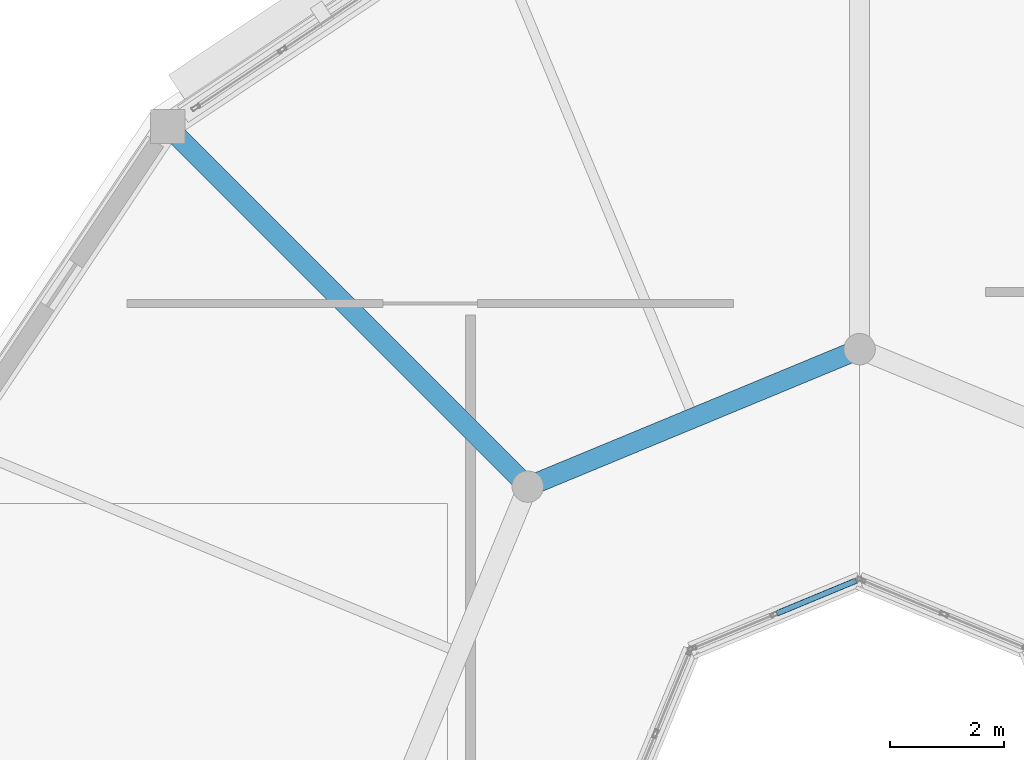
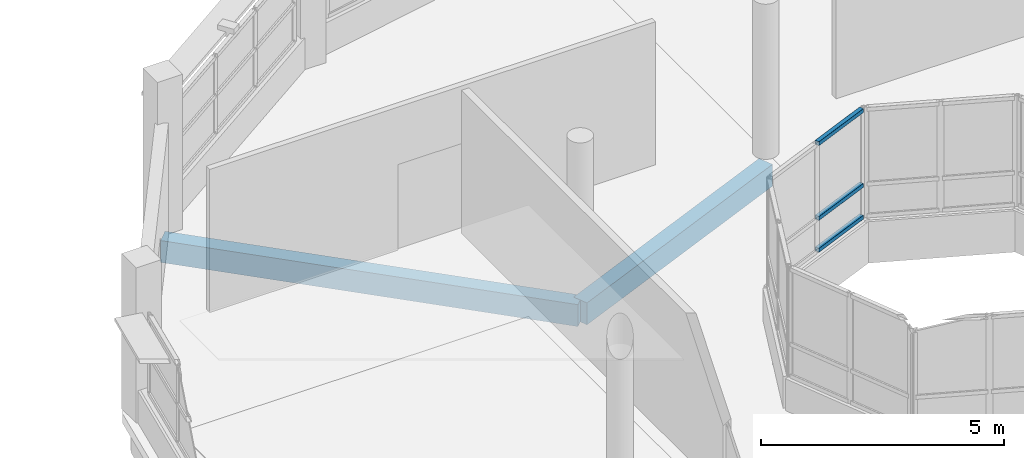
# One storey, part 71 of 121: 3 members, 2 beams, 1 element without a shape of its own.
"""IFC4 building model written with IfcOpenShell, lengths in metres."""

from ifc_helpers import new_model, si_unit, direction, frame, origin, origin_2d, place, context, subcontext, project, spatial, rectangle, hollow_rectangle, extrude, material, layer, layer_set, material_profile, profile_set, type_object, element, aggregate, save


model = new_model("IFC4")

# Units and contexts
model_context = context("Model", 3, precision=1e-05, world=origin(), true_north=direction((0.0, 1.0)))
body_context = subcontext(model_context, "Body", "Model", "MODEL_VIEW")
ifc_project = project(units=[si_unit("LENGTHUNIT", "METRE"), si_unit("AREAUNIT", "SQUARE_METRE"), si_unit("VOLUMEUNIT", "CUBIC_METRE"), si_unit("PLANEANGLEUNIT", "RADIAN"), si_unit("MASSUNIT", "GRAM", prefix="KILO")], contexts=[model_context])

# Site, building, storey
site_placement = place(None, origin())
site = spatial("IfcSite", under=ifc_project, at=site_placement, CompositionType="ELEMENT")
building_placement = place(site_placement, origin())
building = spatial("IfcBuilding", under=site, at=building_placement, Name="Vespera Passage Community Centre", CompositionType="ELEMENT")
storey_placement = place(building_placement, frame((0.0, 0.0, 8.699951171875)))
storey = spatial("IfcBuildingStorey", under=building, at=storey_placement, Name="L02", CompositionType="ELEMENT", Elevation=8.699951171875)

# Beams
ifc_material_1 = material(Name="Concrete f'c 35 MPa", Category="concrete")
ifc_material_profile_1 = material_profile(ifc_material_1, rectangle(XDim=0.35009765625, YDim=0.550048828125, at=origin_2d()), Name="RC350X550")
ifc_profile_set_1 = profile_set([ifc_material_profile_1], Name="Concrete f'c 35 MPa")
beam_type = type_object("IfcBeamType", Name="BM-J-350X550", PredefinedType="JOIST", material=ifc_profile_set_1)
beam_1_placement = place(storey_placement, frame((141.0, 33.199951171875, -0.514892578125), z_axis=(-0.92388740073, -0.382664436252, 0.0), x_axis=(0.382664436252, -0.92388740073, 0.0)))
element("IfcBeam", 1, at=beam_1_placement, inside=storey, type_object=beam_type, Name="V3 L02 Inner Ring Beam 3", PredefinedType="JOIST", context=body_context, shape_type="SweptSolid", body=[
    extrude(rectangle(XDim=0.35009765625, YDim=0.550048828125, at=origin_2d()), origin(), (0.0, 0.0, 1.0), 6.276123046875),
])
beam_2_placement = place(storey_placement, frame((135.20166015625, 30.79833984375, -0.514892578125), z_axis=(-0.707106781187, 0.707106781187, 0.0), x_axis=(-0.707106781187, -0.707106781187, 0.0)))
element("IfcBeam", 2, at=beam_2_placement, inside=storey, type_object=beam_type, Name="V3 L02 Radial Girder 4", PredefinedType="JOIST", context=body_context, shape_type="SweptSolid", body=[
    extrude(rectangle(XDim=0.35009765625, YDim=0.550048828125, at=origin_2d()), origin(), (0.0, 0.0, 1.0), 8.89990234375),
])

# Curtain wall, members
ifc_material_2 = material(Name="Anodized aluminium 6063-T6", Category="aluminium")
ifc_layer = layer(ifc_material_2, 0.159912109375)
ifc_layer_set = layer_set([ifc_layer], Name="Anodized aluminium 6063-T6")
curtain_wall_type = type_object("IfcCurtainWallType", Name="CW-110E", PredefinedType="NOTDEFINED", material=ifc_layer_set)
curtain_wall_placement = place(storey_placement, origin())
curtain_wall = element("IfcCurtainWall", 3, at=curtain_wall_placement, inside=storey, type_object=curtain_wall_type, Name="V3 L02 Inner Court Ribbon Curtain Wall 3", PredefinedType="NOTDEFINED")
ifc_material_3 = material(Name="Anodized aluminium 6063-T6", Category="aluminium")
ifc_material_profile_2 = material_profile(ifc_material_3, hollow_rectangle(XDim=0.10009765625, YDim=0.10009765625, WallThickness=0.00390625, InnerFilletRadius=0.001953125, OuterFilletRadius=0.00390625, at=origin_2d()), Name="ALU100X100X4")
ifc_profile_set_2 = profile_set([ifc_material_profile_2], Name="Anodized aluminium 6063-T6")
member_type = type_object("IfcMemberType", Name="MB-CWT-100E", PredefinedType="USERDEFINED", material=ifc_profile_set_2)
member_1_placement = place(storey_placement, frame((140.93994140625, 29.155029296875, 0.85009765625), z_axis=(-0.923901937079, -0.382629338474, 0.0), x_axis=(0.382629338474, -0.923901937079, 0.0)))
member_1 = element("IfcMember", 4, at=member_1_placement, type_object=member_type, Name="CW-110E transom 1.1", ObjectType="TRANSOM", PredefinedType="USERDEFINED", context=body_context, shape_type="SweptSolid", body=[
    extrude(hollow_rectangle(XDim=0.10009765625, YDim=0.10009765625, WallThickness=0.00390625, InnerFilletRadius=0.001953125, OuterFilletRadius=0.00390625, at=origin_2d()), origin(), (0.0, 0.0, 1.0), 1.501953125),
])
member_2_placement = place(storey_placement, frame((140.93994140625, 29.155029296875, 1.650146484375), z_axis=(-0.923901937079, -0.382629338474, 0.0), x_axis=(0.382629338474, -0.923901937079, 0.0)))
member_2 = element("IfcMember", 5, at=member_2_placement, type_object=member_type, Name="CW-110E transom 1.2", ObjectType="TRANSOM", PredefinedType="USERDEFINED", context=body_context, shape_type="SweptSolid", body=[
    extrude(hollow_rectangle(XDim=0.10009765625, YDim=0.10009765625, WallThickness=0.00390625, InnerFilletRadius=0.001953125, OuterFilletRadius=0.00390625, at=origin_2d()), origin(), (0.0, 0.0, 1.0), 1.501953125),
])
member_3_placement = place(storey_placement, frame((140.93994140625, 29.155029296875, 3.530029296875), z_axis=(-0.923901937079, -0.382629338474, 0.0), x_axis=(0.382629338474, -0.923901937079, 0.0)))
member_3 = element("IfcMember", 6, at=member_3_placement, type_object=member_type, Name="CW-110E transom 1.3", ObjectType="TRANSOM", PredefinedType="USERDEFINED", context=body_context, shape_type="SweptSolid", body=[
    extrude(hollow_rectangle(XDim=0.10009765625, YDim=0.10009765625, WallThickness=0.00390625, InnerFilletRadius=0.001953125, OuterFilletRadius=0.00390625, at=origin_2d()), origin(), (0.0, 0.0, 1.0), 1.501953125),
])
aggregate(curtain_wall, [member_1, member_2, member_3])

save(model, "model.ifc")
